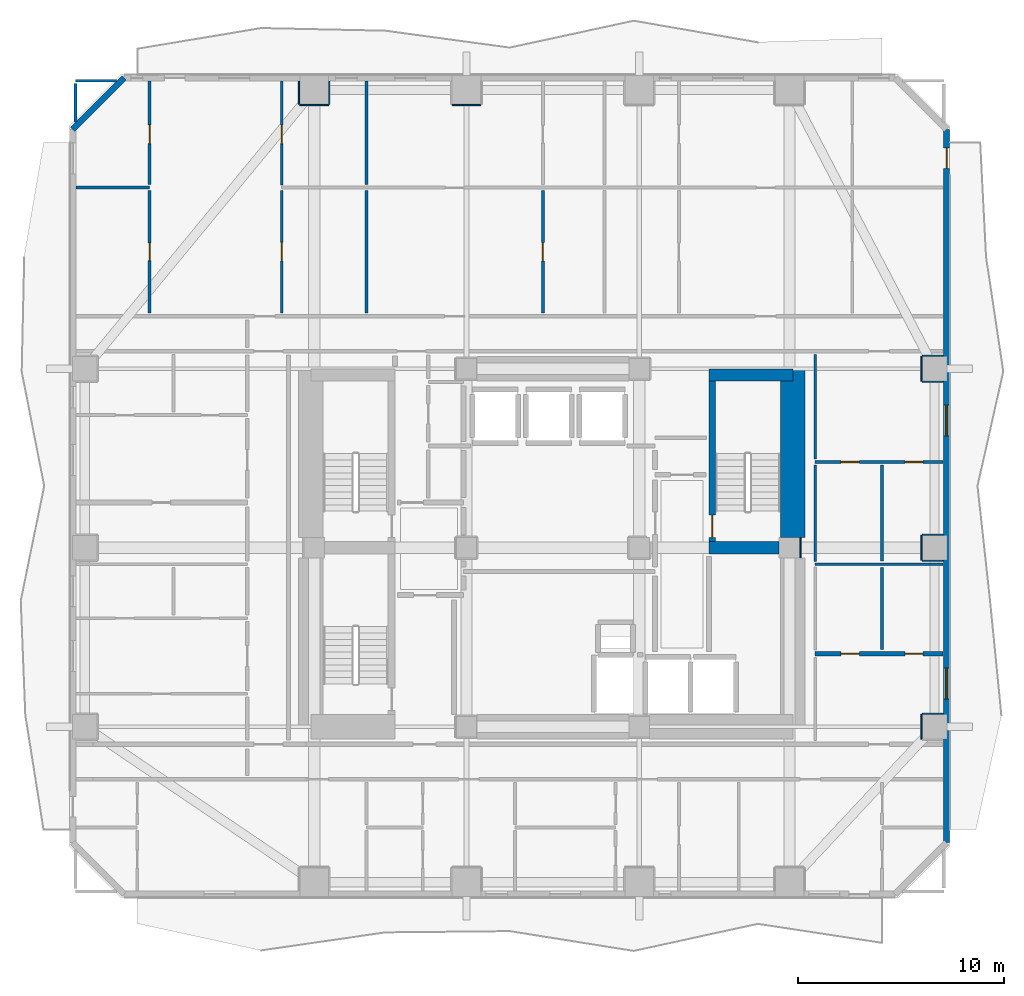
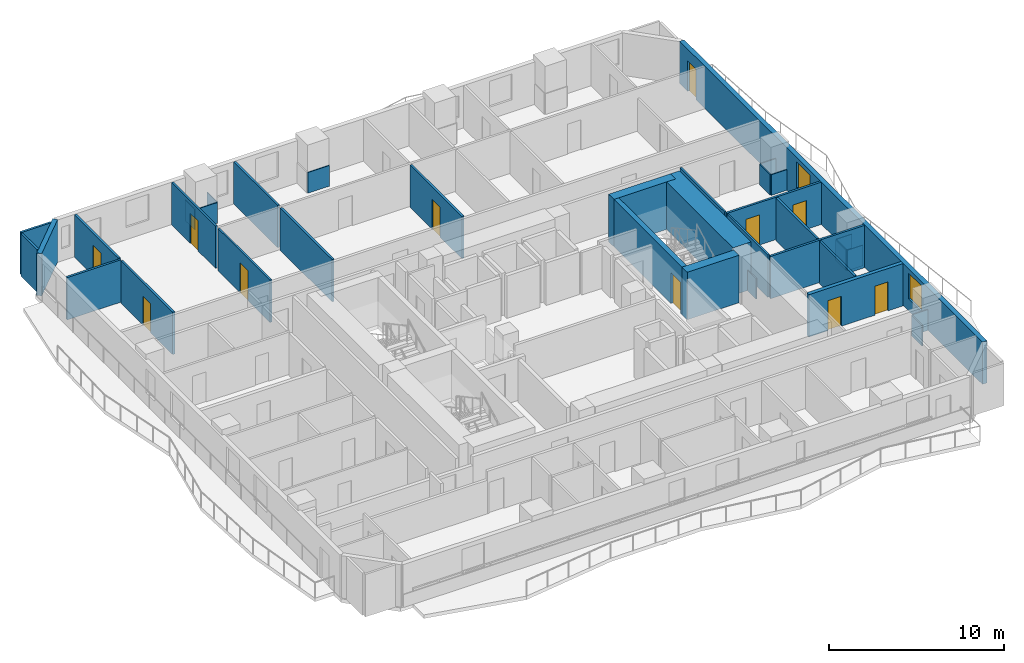
# One storey, part 6 of 12: 36 walls, 11 doors, 2 windows, 13 openings.
"""IFC4 building model written with IfcOpenShell, lengths in metres."""

from ifc_helpers import new_model, si_unit, direction, frame, frame_2d, origin, place, context, subcontext, project, spatial, rectangle, extrude, material, layer, layer_set, type_object, element, fill, save


model = new_model("IFC4")

# Units and contexts
model_context = context("Model", 3, precision=1e-05, world=origin(), true_north=direction((0.0, 1.0)))
body_context = subcontext(model_context, "Body", "Model", "MODEL_VIEW")
ifc_project = project(units=[si_unit("LENGTHUNIT", "METRE"), si_unit("AREAUNIT", "SQUARE_METRE"), si_unit("VOLUMEUNIT", "CUBIC_METRE"), si_unit("PLANEANGLEUNIT", "RADIAN"), si_unit("MASSUNIT", "GRAM", prefix="KILO")], contexts=[model_context])

# Site, building, storey
site_placement = place(None, origin())
site = spatial("IfcSite", under=ifc_project, at=site_placement, CompositionType="ELEMENT")
building_placement = place(site_placement, origin())
building = spatial("IfcBuilding", under=site, at=building_placement, Name="Solanera Arch Residences", CompositionType="ELEMENT")
storey_placement = place(building_placement, frame((0.0, 0.0, 85.080078125)))
storey = spatial("IfcBuildingStorey", under=building, at=storey_placement, Name="L24", CompositionType="ELEMENT", Elevation=85.080078125)

# Walls
ifc_material_1 = material(Name="Fire-Rated Gypsum Stud Partition", Category="gypsum")
ifc_layer_1 = layer(ifc_material_1, 0.06005859375)
ifc_layer_set_1 = layer_set([ifc_layer_1], Name="Fire-Rated Gypsum Stud Partition")
wall_type_1 = type_object("IfcWallType", Name="Column Acoustic Furring Wall 60", PredefinedType="PARTITIONING", material=ifc_layer_set_1)
wall_1_placement = place(storey_placement, frame((37.031982421875, 30.2099609375, 0.0), z_axis=(0.0, 0.0, 1.0), x_axis=(0.0, 1.0, 0.0)))
element("IfcWall", 1, at=wall_1_placement, inside=storey, type_object=wall_type_1, Name="L24 Column Furring 6E", PredefinedType="PARTITIONING", context=body_context, shape_type="SweptSolid", body=[
    extrude(rectangle(XDim=0.97998046875, YDim=0.06005859375, at=frame_2d((0.489990234375, 0.0))), origin(), (0.0, 0.0, 1.0), 1.449951171875),
])
wall_2_placement = place(storey_placement, frame((12.699951171875, 52.218017578125, 0.0), z_axis=(0.0, 0.0, 1.0), x_axis=(1.0, 0.0, 0.0)))
element("IfcWall", 2, at=wall_2_placement, inside=storey, type_object=wall_type_1, Name="L24 Column Furring 10S", PredefinedType="PARTITIONING", context=body_context, shape_type="SweptSolid", body=[
    extrude(rectangle(XDim=1.400146484375, YDim=0.06005859375, at=frame_2d((0.7001953125, 0.0))), origin(), (0.0, 0.0, 1.0), 1.449951171875),
])
for number, where, z_axis, x_axis, name in (
    (3, (12.66796875, 52.25, 0.0), (0.0, 0.0, 1.0), (0.0, 1.0, 0.0), "L24 Column Furring 10W"),
    (4, (14.132080078125, 52.25, 0.0), (0.0, 0.0, 1.0), (0.0, 1.0, 0.0), "L24 Column Furring 10E"),
):
    element("IfcWall", number, at=place(storey_placement, frame(where, z_axis=z_axis, x_axis=x_axis)), inside=storey, type_object=wall_type_1, Name=name, PredefinedType="PARTITIONING", context=body_context, shape_type="SweptSolid", body=[
        extrude(rectangle(XDim=1.1201171875, YDim=0.06005859375, at=frame_2d((0.56005859375, 0.0))), origin(), (0.0, 0.0, 1.0), 1.449951171875),
    ])
wall_3_placement = place(storey_placement, frame((20.10009765625, 52.218017578125, 0.0), z_axis=(0.0, 0.0, 1.0), x_axis=(1.0, 0.0, 0.0)))
element("IfcWall", 5, at=wall_3_placement, inside=storey, type_object=wall_type_1, Name="L24 Column Furring 12S", PredefinedType="PARTITIONING", context=body_context, shape_type="SweptSolid", body=[
    extrude(rectangle(XDim=1.39990234375, YDim=0.06005859375, at=frame_2d((0.699951171875, 0.0))), origin(), (0.0, 0.0, 1.0), 1.449951171875),
])
wall_4_placement = place(storey_placement, frame((42.949951171875, 22.632080078125, 0.0), z_axis=(0.0, 0.0, 1.0), x_axis=(1.0, 0.0, 0.0)))
element("IfcWall", 6, at=wall_4_placement, inside=storey, type_object=wall_type_1, Name="L24 Column Furring 18N", PredefinedType="PARTITIONING", context=body_context, shape_type="SweptSolid", body=[
    extrude(rectangle(XDim=1.02001953125, YDim=0.06005859375, at=frame_2d((0.510009765625, 0.0))), origin(), (0.0, 0.0, 1.0), 1.449951171875),
])
wall_5_placement = place(storey_placement, frame((42.91796875, 21.39990234375, 0.0), z_axis=(0.0, 0.0, 1.0), x_axis=(0.0, 1.0, 0.0)))
element("IfcWall", 7, at=wall_5_placement, inside=storey, type_object=wall_type_1, Name="L24 Column Furring 18W", PredefinedType="PARTITIONING", context=body_context, shape_type="SweptSolid", body=[
    extrude(rectangle(XDim=1.2001953125, YDim=0.06005859375, at=frame_2d((0.60009765625, 0.0))), origin(), (0.0, 0.0, 1.0), 1.449951171875),
])
for number, where, z_axis, x_axis, name in (
    (8, (42.949951171875, 30.068115234375, 0.0), (0.0, 0.0, 1.0), (1.0, 0.0, 0.0), "L24 Column Furring 20S"),
    (9, (42.949951171875, 31.33203125, 0.0), (0.0, 0.0, 1.0), (1.0, 0.0, 0.0), "L24 Column Furring 20N"),
):
    element("IfcWall", number, at=place(storey_placement, frame(where, z_axis=z_axis, x_axis=x_axis)), inside=storey, type_object=wall_type_1, Name=name, PredefinedType="PARTITIONING", context=body_context, shape_type="SweptSolid", body=[
        extrude(rectangle(XDim=1.02001953125, YDim=0.06005859375, at=frame_2d((0.510009765625, 0.0))), origin(), (0.0, 0.0, 1.0), 1.449951171875),
    ])
wall_6_placement = place(storey_placement, frame((42.91796875, 30.10009765625, 0.0), z_axis=(0.0, 0.0, 1.0), x_axis=(0.0, 1.0, 0.0)))
element("IfcWall", 10, at=wall_6_placement, inside=storey, type_object=wall_type_1, Name="L24 Column Furring 20W", PredefinedType="PARTITIONING", context=body_context, shape_type="SweptSolid", body=[
    extrude(rectangle(XDim=1.199951171875, YDim=0.06005859375, at=frame_2d((0.60009765625, 0.0))), origin(), (0.0, 0.0, 1.0), 1.449951171875),
])
for number, where, z_axis, x_axis, name in (
    (11, (42.949951171875, 38.76806640625, 0.0), (0.0, 0.0, 1.0), (1.0, 0.0, 0.0), "L24 Column Furring 22S"),
    (12, (42.949951171875, 40.031982421875, 0.0), (0.0, 0.0, 1.0), (1.0, 0.0, 0.0), "L24 Column Furring 22N"),
):
    element("IfcWall", number, at=place(storey_placement, frame(where, z_axis=z_axis, x_axis=x_axis)), inside=storey, type_object=wall_type_1, Name=name, PredefinedType="PARTITIONING", context=body_context, shape_type="SweptSolid", body=[
        extrude(rectangle(XDim=1.02001953125, YDim=0.06005859375, at=frame_2d((0.510009765625, 0.0))), origin(), (0.0, 0.0, 1.0), 1.449951171875),
    ])
wall_7_placement = place(storey_placement, frame((42.91796875, 38.800048828125, 0.0), z_axis=(0.0, 0.0, 1.0), x_axis=(0.0, 1.0, 0.0)))
element("IfcWall", 13, at=wall_7_placement, inside=storey, type_object=wall_type_1, Name="L24 Column Furring 22W", PredefinedType="PARTITIONING", context=body_context, shape_type="SweptSolid", body=[
    extrude(rectangle(XDim=1.199951171875, YDim=0.06005859375, at=frame_2d((0.60009765625, 0.0))), origin(), (0.0, 0.0, 1.0), 1.449951171875),
])
ifc_material_2 = material(Name="Concrete C55/67 (f'c = 60 MPa)", Category="concrete")
ifc_layer_2 = layer(ifc_material_2, 1.199951171875)
ifc_layer_set_2 = layer_set([ifc_layer_2], Name="Concrete C55/67 (f'c = 60 MPa)")
wall_type_2 = type_object("IfcWallType", Name="Core Shear Wall CW-1200", PredefinedType="SHEAR", material=ifc_layer_set_2)
wall_8_placement = place(storey_placement, frame((36.659912109375, 31.205078125, 0.0), z_axis=(0.0, 0.0, 1.0), x_axis=(0.0, 1.0, 0.0)))
element("IfcWall", 14, at=wall_8_placement, inside=storey, type_object=wall_type_2, Name="L24 East Core North Shear Wall", PredefinedType="SHEAR", context=body_context, shape_type="SweptSolid", body=[
    extrude(rectangle(XDim=8.19482421875, YDim=1.199951171875, at=frame_2d((4.097412109375, 0.0))), origin(), (0.0, 0.0, 1.0), 3.31982421875),
])

# Wall, opening, door
ifc_material_3 = material(Name="Concrete C40/50 (f'c = 45 MPa)", Category="concrete")
ifc_layer_3 = layer(ifc_material_3, 0.320068359375)
ifc_layer_set_3 = layer_set([ifc_layer_3], Name="Concrete C40/50 (f'c = 45 MPa)")
wall_type_3 = type_object("IfcWallType", Name="Core Shear Wall CW-320", PredefinedType="SHEAR", material=ifc_layer_set_3)
wall_9_placement = place(storey_placement, frame((32.739990234375, 31.0, 0.0), z_axis=(0.0, 0.0, 1.0), x_axis=(0.0, 1.0, 0.0)))
wall_9 = element("IfcWall", 15, at=wall_9_placement, inside=storey, type_object=wall_type_3, Name="L24 Stair ST-T2 West Shear Wall", PredefinedType="SHEAR", context=body_context, shape_type="SweptSolid", body=[
    extrude(rectangle(XDim=7.800048828125, YDim=0.320068359375, at=frame_2d((3.89990234375, 0.0))), origin(), (0.0, 0.0, 1.0), 3.31982421875),
])
opening_1_placement = place(wall_9_placement, frame((0.18994140625, 0.0, 0.0)))
opening_1 = element("IfcOpeningElement", 16, at=opening_1_placement, cuts=wall_9, Name="Opening DF-01", PredefinedType="OPENING", context=body_context, shape_type="SweptSolid", body=[
    extrude(rectangle(XDim=1.10009765625, YDim=2.14990234375, at=frame_2d((0.550048828125, 1.074951171875))), frame((0.0, 0.169921875, 0.0), z_axis=(0.0, -1.0, 0.0), x_axis=(1.0, 0.0, 0.0)), (0.0, 0.0, 1.0), 0.3401),
])
ifc_material_4 = material(Name="Fire-Rated Architectural Hardwood", Category="wood")
door_type_1 = type_object("IfcDoorType", Name="Stair Exit Fire Door DF-01", OperationType="NOTDEFINED", PredefinedType="DOOR", material=ifc_material_4)
door_1_placement = place(opening_1_placement, origin())
door_1 = element("IfcDoor", 17, at=door_1_placement, inside=storey, type_object=door_type_1, Name="DR-L24-STAIR-ST-T2", OperationType="SINGLE_SWING_RIGHT", OverallHeight=2.14990234375, OverallWidth=1.10009765625, PredefinedType="DOOR", context=body_context, shape_type="SweptSolid", body=[
    extrude(rectangle(XDim=1.10009765625, YDim=2.14990234375, at=frame_2d((0.550048828125, 1.074951171875))), frame((0.0, 0.02490234375, 0.0), z_axis=(0.0, -1.0, 0.0), x_axis=(1.0, 0.0, 0.0)), (0.0, 0.0, 1.0), 0.050048828125),
])
fill(opening_1, door_1)

# Walls
ifc_material_5 = material(Name="Concrete C40/50 (f'c = 45 MPa)", Category="concrete")
ifc_layer_4 = layer(ifc_material_5, 0.60009765625)
ifc_layer_set_4 = layer_set([ifc_layer_4], Name="Concrete C40/50 (f'c = 45 MPa)")
wall_type_4 = type_object("IfcWallType", Name="Core Shear Wall CW-600", PredefinedType="SHEAR", material=ifc_layer_set_4)
wall_10_placement = place(storey_placement, frame((32.580078125, 39.10009765625, 0.0), z_axis=(0.0, 0.0, 1.0), x_axis=(1.0, 0.0, 0.0)))
element("IfcWall", 18, at=wall_10_placement, inside=storey, type_object=wall_type_4, Name="L24 North-East Core Shear Wall", PredefinedType="SHEAR", context=body_context, shape_type="SweptSolid", body=[
    extrude(rectangle(XDim=4.079833984375, YDim=0.60009765625, at=frame_2d((2.0400390625, 0.0))), origin(), (0.0, 0.0, 1.0), 3.31982421875),
])
wall_11_placement = place(storey_placement, frame((32.580078125, 30.699951171875, 0.0), z_axis=(0.0, 0.0, 1.0), x_axis=(1.0, 0.0, 0.0)))
element("IfcWall", 19, at=wall_11_placement, inside=storey, type_object=wall_type_4, Name="L24 East Stair Far-Landing Shear Wall", PredefinedType="SHEAR", context=body_context, shape_type="SweptSolid", body=[
    extrude(rectangle(XDim=3.4150390625, YDim=0.60009765625, at=frame_2d((1.70751953125, 0.0))), origin(), (0.0, 0.0, 1.0), 3.31982421875),
])
ifc_material_6 = material(Name="Precast Concrete C35/45", Category="concrete")
ifc_layer_5 = layer(ifc_material_6, 0.300048828125)
ifc_layer_set_5 = layer_set([ifc_layer_5], Name="Precast Concrete C35/45")
wall_type_5 = type_object("IfcWallType", Name="Exterior Wall Precast Masonry-Frame 300", PredefinedType="STANDARD", material=ifc_layer_set_5)
wall_12_placement = place(storey_placement, frame((1.6650390625, 51.034912109375, 0.0), z_axis=(0.0, 0.0, 1.0), x_axis=(0.707106781187, 0.707106781187, 0.0)))
element("IfcWall", 20, at=wall_12_placement, inside=storey, type_object=wall_type_5, Name="L24 Tower Exterior Precast Masonry-Frame Wall CH1", PredefinedType="STANDARD", context=body_context, shape_type="SweptSolid", body=[
    extrude(rectangle(XDim=3.53564453125, YDim=0.300048828125, at=frame_2d((1.767822265625, 0.0))), origin(), (0.0, 0.0, 1.0), 2.9599609375),
])

# Wall, openings, door, windows
wall_13_placement = place(storey_placement, frame((44.135009765625, 51.034912109375, 0.0), z_axis=(0.0, 0.0, 1.0), x_axis=(0.0, -1.0, 0.0)))
wall_13 = element("IfcWall", 21, at=wall_13_placement, inside=storey, type_object=wall_type_5, Name="L24 Tower Exterior Precast Masonry-Frame Wall E", PredefinedType="STANDARD", context=body_context, shape_type="SweptSolid", body=[
    extrude(rectangle(XDim=34.669921875, YDim=0.300048828125, at=frame_2d((17.3349609375, 0.0))), origin(), (0.0, 0.0, 1.0), 2.9599609375),
])
opening_2_placement = place(wall_13_placement, frame((0.90087890625, 0.0, 0.0)))
opening_2 = element("IfcOpeningElement", 22, at=opening_2_placement, cuts=wall_13, Name="Opening DB-01", PredefinedType="OPENING", context=body_context, shape_type="SweptSolid", body=[
    extrude(rectangle(XDim=1.0, YDim=2.14990234375, at=frame_2d((0.5, 1.074951171875))), frame((0.0, 0.159912109375, 0.0), z_axis=(0.0, -1.0, 0.0), x_axis=(1.0, 0.0, 0.0)), (0.0, 0.0, 1.0), 0.32),
])
opening_3_placement = place(wall_13_placement, frame((26.18505859375, 0.0, 0.85009765625)))
opening_3 = element("IfcOpeningElement", 23, at=opening_3_placement, cuts=wall_13, Name="Opening W-02", PredefinedType="OPENING", context=body_context, shape_type="SweptSolid", body=[
    extrude(rectangle(XDim=1.5, YDim=1.800048828125, at=frame_2d((0.75, 0.89990234375))), frame((0.0, 0.159912109375, 0.0), z_axis=(0.0, -1.0, 0.0), x_axis=(1.0, 0.0, 0.0)), (0.0, 0.0, 1.0), 0.32),
])
opening_4_placement = place(wall_13_placement, frame((13.40087890625, 0.0, 0.85009765625)))
opening_4 = element("IfcOpeningElement", 24, at=opening_4_placement, cuts=wall_13, Name="Opening W-02", PredefinedType="OPENING", context=body_context, shape_type="SweptSolid", body=[
    extrude(rectangle(XDim=1.5, YDim=1.800048828125, at=frame_2d((0.75, 0.89990234375))), frame((0.0, 0.159912109375, 0.0), z_axis=(0.0, -1.0, 0.0), x_axis=(1.0, 0.0, 0.0)), (0.0, 0.0, 1.0), 0.32),
])
ifc_material_7 = material(Name="Anodised Aluminium Alloy 6063-T6", Category="aluminium")
door_type_2 = type_object("IfcDoorType", Name="Glazed Balcony Swing Door DB-01", OperationType="NOTDEFINED", PredefinedType="DOOR", material=ifc_material_7)
door_2_placement = place(opening_2_placement, origin())
door_2 = element("IfcDoor", 25, at=door_2_placement, inside=storey, type_object=door_type_2, Name="DR-L24-OUT-03", OperationType="SINGLE_SWING_RIGHT", OverallHeight=2.14990234375, OverallWidth=1.0, PredefinedType="DOOR", context=body_context, shape_type="SweptSolid", body=[
    extrude(rectangle(XDim=1.0, YDim=2.14990234375, at=frame_2d((0.5, 1.074951171875))), frame((0.0, 0.02490234375, 0.0), z_axis=(0.0, -1.0, 0.0), x_axis=(1.0, 0.0, 0.0)), (0.0, 0.0, 1.0), 0.050048828125),
])
fill(opening_2, door_2)
ifc_material_8 = material(Name="Double Glazed Low-E Laminated Glass", Category="glass")
window_type = type_object("IfcWindowType", Name="Punched Window W-02", PartitioningType="DOUBLE_PANEL_VERTICAL", PredefinedType="WINDOW", material=ifc_material_8)
window_1_placement = place(opening_3_placement, origin())
window_1 = element("IfcWindow", 26, at=window_1_placement, inside=storey, type_object=window_type, Name="L24 2410-LIV Punched Window", OverallHeight=1.800048828125, OverallWidth=1.5, PartitioningType="SINGLE_PANEL", PredefinedType="WINDOW", context=body_context, shape_type="SweptSolid", body=[
    extrude(rectangle(XDim=1.5, YDim=1.800048828125, at=frame_2d((0.75, 0.89990234375))), frame((0.0, 0.030029296875, 0.0), z_axis=(0.0, -1.0, 0.0), x_axis=(1.0, 0.0, 0.0)), (0.0, 0.0, 1.0), 0.06005859375),
])
fill(opening_3, window_1)
window_2_placement = place(opening_4_placement, origin())
window_2 = element("IfcWindow", 27, at=window_2_placement, inside=storey, type_object=window_type, Name="L24 2411-LIV Punched Window", OverallHeight=1.800048828125, OverallWidth=1.5, PartitioningType="SINGLE_PANEL", PredefinedType="WINDOW", context=body_context, shape_type="SweptSolid", body=[
    extrude(rectangle(XDim=1.5, YDim=1.800048828125, at=frame_2d((0.75, 0.89990234375))), frame((0.0, 0.030029296875, 0.0), z_axis=(0.0, -1.0, 0.0), x_axis=(1.0, 0.0, 0.0)), (0.0, 0.0, 1.0), 0.06005859375),
])
fill(opening_4, window_2)

# Wall, openings, doors
ifc_material_9 = material(Name="Autoclaved Aerated Concrete Blockwork", Category="masonry")
ifc_layer_6 = layer(ifc_material_9, 0.239990234375)
ifc_layer_set_6 = layer_set([ifc_layer_6], Name="Autoclaved Aerated Concrete Blockwork")
wall_type_6 = type_object("IfcWallType", Name="Shaft Wall Fire-Rated 240", PredefinedType="PARTITIONING", material=ifc_layer_set_6)
wall_14_placement = place(storey_placement, frame((37.75, 25.550048828125, 0.0), z_axis=(0.0, 0.0, 1.0), x_axis=(1.0, 0.0, 0.0)))
wall_14 = element("IfcWall", 28, at=wall_14_placement, inside=storey, type_object=wall_type_6, Name="L24 Interior Partition H3", PredefinedType="PARTITIONING", context=body_context, shape_type="SweptSolid", body=[
    extrude(rectangle(XDim=6.222900390625, YDim=0.239990234375, at=frame_2d((3.111328125, 0.0))), origin(), (0.0, 0.0, 1.0), 2.9599609375),
])
opening_5_placement = place(wall_14_placement, frame((1.25, 0.0, 0.0)))
opening_5 = element("IfcOpeningElement", 29, at=opening_5_placement, cuts=wall_14, Name="Opening DI-02", PredefinedType="OPENING", context=body_context, shape_type="SweptSolid", body=[
    extrude(rectangle(XDim=0.89990234375, YDim=2.10009765625, at=frame_2d((0.449951171875, 1.050048828125))), frame((0.0, 0.1298828125, 0.0), z_axis=(0.0, -1.0, 0.0), x_axis=(1.0, 0.0, 0.0)), (0.0, 0.0, 1.0), 0.26),
])
opening_6_placement = place(wall_14_placement, frame((4.3701171875, 0.0, 0.0)))
opening_6 = element("IfcOpeningElement", 30, at=opening_6_placement, cuts=wall_14, Name="Opening DI-05", PredefinedType="OPENING", context=body_context, shape_type="SweptSolid", body=[
    extrude(rectangle(XDim=0.860107421875, YDim=2.02001953125, at=frame_2d((0.43017578125, 1.010009765625))), frame((0.0, 0.1298828125, 0.0), z_axis=(0.0, -1.0, 0.0), x_axis=(1.0, 0.0, 0.0)), (0.0, 0.0, 1.0), 0.26),
])
ifc_material_10 = material(Name="Fire-Rated Architectural Hardwood", Category="wood")
door_type_3 = type_object("IfcDoorType", Name="Bathroom Swing Door DI-05", OperationType="NOTDEFINED", PredefinedType="DOOR", material=ifc_material_10)
door_3_placement = place(opening_6_placement, origin())
door_3 = element("IfcDoor", 31, at=door_3_placement, inside=storey, type_object=door_type_3, Name="DR-L24-IN-051", OperationType="SINGLE_SWING_LEFT", OverallHeight=2.02001953125, OverallWidth=0.860107421875, PredefinedType="DOOR", context=body_context, shape_type="SweptSolid", body=[
    extrude(rectangle(XDim=0.860107421875, YDim=2.02001953125, at=frame_2d((0.43017578125, 1.010009765625))), frame((0.0, 0.02490234375, 0.0), z_axis=(0.0, -1.0, 0.0), x_axis=(1.0, 0.0, 0.0)), (0.0, 0.0, 1.0), 0.050048828125),
])
fill(opening_6, door_3)
ifc_material_11 = material(Name="Fire-Rated Architectural Hardwood", Category="wood")
door_type_4 = type_object("IfcDoorType", Name="Suite Room Swing Door DI-02", OperationType="NOTDEFINED", PredefinedType="DOOR", material=ifc_material_11)
door_4_placement = place(opening_5_placement, origin())
door_4 = element("IfcDoor", 32, at=door_4_placement, inside=storey, type_object=door_type_4, Name="DR-L24-IN-050", OperationType="SINGLE_SWING_RIGHT", OverallHeight=2.10009765625, OverallWidth=0.89990234375, PredefinedType="DOOR", context=body_context, shape_type="SweptSolid", body=[
    extrude(rectangle(XDim=0.89990234375, YDim=2.10009765625, at=frame_2d((0.449951171875, 1.050048828125))), frame((0.0, 0.02490234375, 0.0), z_axis=(0.0, -1.0, 0.0), x_axis=(1.0, 0.0, 0.0)), (0.0, 0.0, 1.0), 0.050048828125),
])
fill(opening_5, door_4)

# Wall, opening, door
ifc_material_12 = material(Name="Fire-Rated Gypsum Stud Partition", Category="gypsum")
ifc_layer_7 = layer(ifc_material_12, 0.1201171875)
ifc_layer_set_7 = layer_set([ifc_layer_7], Name="Fire-Rated Gypsum Stud Partition")
wall_type_7 = type_object("IfcWallType", Name="Unit Drywall Partition 120", PredefinedType="PARTITIONING", material=ifc_layer_set_7)
wall_15_placement = place(storey_placement, frame((11.820068359375, 42.10791015625, 0.0), z_axis=(0.0, 0.0, 1.0), x_axis=(0.0, 1.0, 0.0)))
wall_15 = element("IfcWall", 33, at=wall_15_placement, inside=storey, type_object=wall_type_7, Name="L24 Interior Partition V28 1", PredefinedType="PARTITIONING", context=body_context, shape_type="SweptSolid", body=[
    extrude(rectangle(XDim=5.9541015625, YDim=0.1201171875, at=frame_2d((2.97705078125, 0.0))), origin(), (0.0, 0.0, 1.0), 2.9599609375),
])
opening_7_placement = place(wall_15_placement, frame((2.530029296875, 0.0, 0.0)))
opening_7 = element("IfcOpeningElement", 34, at=opening_7_placement, cuts=wall_15, Name="Opening DI-02", PredefinedType="OPENING", context=body_context, shape_type="SweptSolid", body=[
    extrude(rectangle(XDim=0.89990234375, YDim=2.10009765625, at=frame_2d((0.449951171875, 1.050048828125))), frame((0.0, 0.070068359375, 0.0), z_axis=(0.0, -1.0, 0.0), x_axis=(1.0, 0.0, 0.0)), (0.0, 0.0, 1.0), 0.1401),
])
door_5_placement = place(opening_7_placement, origin())
door_5 = element("IfcDoor", 35, at=door_5_placement, inside=storey, type_object=door_type_4, Name="DR-L24-IN-029", OperationType="SINGLE_SWING_LEFT", OverallHeight=2.10009765625, OverallWidth=0.89990234375, PredefinedType="DOOR", context=body_context, shape_type="SweptSolid", body=[
    extrude(rectangle(XDim=0.89990234375, YDim=2.10009765625, at=frame_2d((0.449951171875, 1.050048828125))), frame((0.0, 0.02490234375, 0.0), z_axis=(0.0, -1.0, 0.0), x_axis=(1.0, 0.0, 0.0)), (0.0, 0.0, 1.0), 0.050048828125),
])
fill(opening_7, door_5)

wall_16_placement = place(storey_placement, frame((11.820068359375, 48.337890625, 0.0), z_axis=(0.0, 0.0, 1.0), x_axis=(0.0, 1.0, 0.0)))
wall_16 = element("IfcWall", 36, at=wall_16_placement, inside=storey, type_object=wall_type_7, Name="L24 Interior Partition V28 2", PredefinedType="PARTITIONING", context=body_context, shape_type="SweptSolid", body=[
    extrude(rectangle(XDim=5.03515625, YDim=0.1201171875, at=frame_2d((2.517578125, 0.0))), origin(), (0.0, 0.0, 1.0), 2.9599609375),
])
opening_8_placement = place(wall_16_placement, frame((1.9990234375, 0.0, 0.0)))
opening_8 = element("IfcOpeningElement", 37, at=opening_8_placement, cuts=wall_16, Name="Opening DI-02", PredefinedType="OPENING", context=body_context, shape_type="SweptSolid", body=[
    extrude(rectangle(XDim=0.89990234375, YDim=2.10009765625, at=frame_2d((0.449951171875, 1.050048828125))), frame((0.0, 0.070068359375, 0.0), z_axis=(0.0, -1.0, 0.0), x_axis=(1.0, 0.0, 0.0)), (0.0, 0.0, 1.0), 0.1401),
])
door_6_placement = place(opening_8_placement, origin())
door_6 = element("IfcDoor", 38, at=door_6_placement, inside=storey, type_object=door_type_4, Name="DR-L24-IN-030", OperationType="SINGLE_SWING_RIGHT", OverallHeight=2.10009765625, OverallWidth=0.89990234375, PredefinedType="DOOR", context=body_context, shape_type="SweptSolid", body=[
    extrude(rectangle(XDim=0.89990234375, YDim=2.10009765625, at=frame_2d((0.449951171875, 1.050048828125))), frame((0.0, 0.02490234375, 0.0), z_axis=(0.0, -1.0, 0.0), x_axis=(1.0, 0.0, 0.0)), (0.0, 0.0, 1.0), 0.050048828125),
])
fill(opening_8, door_6)

# Walls
wall_17_placement = place(storey_placement, frame((37.75, 30.0380859375, 0.0), z_axis=(0.0, 0.0, 1.0), x_axis=(0.0, 1.0, 0.0)))
element("IfcWall", 39, at=wall_17_placement, inside=storey, type_object=wall_type_7, Name="L24 Interior Partition V30 3", PredefinedType="PARTITIONING", context=body_context, shape_type="SweptSolid", body=[
    extrude(rectangle(XDim=4.69189453125, YDim=0.1201171875, at=frame_2d((2.345947265625, 0.0))), origin(), (0.0, 0.0, 1.0), 2.9599609375),
])
wall_18_placement = place(storey_placement, frame((37.75, 35.006103515625, 0.0), z_axis=(0.0, 0.0, 1.0), x_axis=(0.0, 1.0, 0.0)))
element("IfcWall", 40, at=wall_18_placement, inside=storey, type_object=wall_type_7, Name="L24 Interior Partition V30 4", PredefinedType="PARTITIONING", context=body_context, shape_type="SweptSolid", body=[
    extrude(rectangle(XDim=5.0859375, YDim=0.1201171875, at=frame_2d((2.54296875, 0.0))), origin(), (0.0, 0.0, 1.0), 2.9599609375),
])
ifc_material_13 = material(Name="Autoclaved Aerated Concrete Blockwork", Category="masonry")
ifc_layer_8 = layer(ifc_material_13, 0.139892578125)
ifc_layer_set_8 = layer_set([ifc_layer_8], Name="Autoclaved Aerated Concrete Blockwork")
wall_type_8 = type_object("IfcWallType", Name="Wet-Room Partition 140", PredefinedType="PARTITIONING", material=ifc_layer_set_8)
wall_19_placement = place(storey_placement, frame((37.75, 29.89990234375, 0.0), z_axis=(0.0, 0.0, 1.0), x_axis=(1.0, 0.0, 0.0)))
element("IfcWall", 41, at=wall_19_placement, inside=storey, type_object=wall_type_8, Name="L24 Interior Partition H21", PredefinedType="PARTITIONING", context=body_context, shape_type="SweptSolid", body=[
    extrude(rectangle(XDim=6.222900390625, YDim=0.139892578125, at=frame_2d((3.111328125, 0.0))), origin(), (0.0, 0.0, 1.0), 2.9599609375),
])

# Wall, openings, doors
wall_20_placement = place(storey_placement, frame((37.75, 34.867919921875, 0.0), z_axis=(0.0, 0.0, 1.0), x_axis=(1.0, 0.0, 0.0)))
wall_20 = element("IfcWall", 42, at=wall_20_placement, inside=storey, type_object=wall_type_8, Name="L24 Interior Partition H22", PredefinedType="PARTITIONING", context=body_context, shape_type="SweptSolid", body=[
    extrude(rectangle(XDim=6.222900390625, YDim=0.139892578125, at=frame_2d((3.111328125, 0.0))), origin(), (0.0, 0.0, 1.0), 2.9599609375),
])
opening_9_placement = place(wall_20_placement, frame((1.25, 0.0, 0.0)))
opening_9 = element("IfcOpeningElement", 43, at=opening_9_placement, cuts=wall_20, Name="Opening DI-02", PredefinedType="OPENING", context=body_context, shape_type="SweptSolid", body=[
    extrude(rectangle(XDim=0.89990234375, YDim=2.10009765625, at=frame_2d((0.449951171875, 1.050048828125))), frame((0.0, 0.079833984375, 0.0), z_axis=(0.0, -1.0, 0.0), x_axis=(1.0, 0.0, 0.0)), (0.0, 0.0, 1.0), 0.1599),
])
opening_10_placement = place(wall_20_placement, frame((4.3701171875, 0.0, 0.0)))
opening_10 = element("IfcOpeningElement", 44, at=opening_10_placement, cuts=wall_20, Name="Opening DI-05", PredefinedType="OPENING", context=body_context, shape_type="SweptSolid", body=[
    extrude(rectangle(XDim=0.860107421875, YDim=2.02001953125, at=frame_2d((0.43017578125, 1.010009765625))), frame((0.0, 0.079833984375, 0.0), z_axis=(0.0, -1.0, 0.0), x_axis=(1.0, 0.0, 0.0)), (0.0, 0.0, 1.0), 0.1599),
])
door_7_placement = place(opening_10_placement, origin())
door_7 = element("IfcDoor", 45, at=door_7_placement, inside=storey, type_object=door_type_3, Name="DR-L24-IN-054", OperationType="SINGLE_SWING_RIGHT", OverallHeight=2.02001953125, OverallWidth=0.860107421875, PredefinedType="DOOR", context=body_context, shape_type="SweptSolid", body=[
    extrude(rectangle(XDim=0.860107421875, YDim=2.02001953125, at=frame_2d((0.43017578125, 1.010009765625))), frame((0.0, 0.02490234375, 0.0), z_axis=(0.0, -1.0, 0.0), x_axis=(1.0, 0.0, 0.0)), (0.0, 0.0, 1.0), 0.050048828125),
])
fill(opening_10, door_7)
door_8_placement = place(opening_9_placement, origin())
door_8 = element("IfcDoor", 46, at=door_8_placement, inside=storey, type_object=door_type_4, Name="DR-L24-IN-053", OperationType="SINGLE_SWING_LEFT", OverallHeight=2.10009765625, OverallWidth=0.89990234375, PredefinedType="DOOR", context=body_context, shape_type="SweptSolid", body=[
    extrude(rectangle(XDim=0.89990234375, YDim=2.10009765625, at=frame_2d((0.449951171875, 1.050048828125))), frame((0.0, 0.02490234375, 0.0), z_axis=(0.0, -1.0, 0.0), x_axis=(1.0, 0.0, 0.0)), (0.0, 0.0, 1.0), 0.050048828125),
])
fill(opening_9, door_8)

# Walls
wall_21_placement = place(storey_placement, frame((1.826904296875, 48.199951171875, 0.0), z_axis=(0.0, 0.0, 1.0), x_axis=(1.0, 0.0, 0.0)))
element("IfcWall", 47, at=wall_21_placement, inside=storey, type_object=wall_type_8, Name="L24 Interior Partition H25", PredefinedType="PARTITIONING", context=body_context, shape_type="SweptSolid", body=[
    extrude(rectangle(XDim=3.5771484375, YDim=0.139892578125, at=frame_2d((1.78857421875, 0.0))), origin(), (0.0, 0.0, 1.0), 2.9599609375),
])
wall_22_placement = place(storey_placement, frame((1.800048828125, 53.39990234375, 0.0), z_axis=(0.0, 0.0, 1.0), x_axis=(1.0, 0.0, 0.0)))
element("IfcWall", 48, at=wall_22_placement, inside=storey, type_object=wall_type_8, Name="L24 Interior Partition H27 1", PredefinedType="PARTITIONING", context=body_context, shape_type="SweptSolid", body=[
    extrude(rectangle(XDim=2.0009765625, YDim=0.139892578125, at=frame_2d((1.00048828125, 0.0))), origin(), (0.0, 0.0, 1.0), 2.9599609375),
])
wall_23_placement = place(storey_placement, frame((1.800048828125, 51.39892578125, 0.0), z_axis=(0.0, 0.0, 1.0), x_axis=(0.0, 1.0, 0.0)))
element("IfcWall", 49, at=wall_23_placement, inside=storey, type_object=wall_type_8, Name="L24 Interior Partition V12", PredefinedType="PARTITIONING", context=body_context, shape_type="SweptSolid", body=[
    extrude(rectangle(XDim=1.85302734375, YDim=0.139892578125, at=frame_2d((0.926513671875, 0.0))), origin(), (0.0, 0.0, 1.0), 2.9599609375),
])

# Wall, opening, door
wall_24_placement = place(storey_placement, frame((5.404052734375, 42.117919921875, 0.0), z_axis=(0.0, 0.0, 1.0), x_axis=(0.0, 1.0, 0.0)))
wall_24 = element("IfcWall", 50, at=wall_24_placement, inside=storey, type_object=wall_type_8, Name="L24 Interior Partition V14 1", PredefinedType="PARTITIONING", context=body_context, shape_type="SweptSolid", body=[
    extrude(rectangle(XDim=5.93408203125, YDim=0.139892578125, at=frame_2d((2.967041015625, 0.0))), origin(), (0.0, 0.0, 1.0), 2.9599609375),
])
opening_11_placement = place(wall_24_placement, frame((2.5400390625, 0.0, 0.0)))
opening_11 = element("IfcOpeningElement", 51, at=opening_11_placement, cuts=wall_24, Name="Opening DI-05", PredefinedType="OPENING", context=body_context, shape_type="SweptSolid", body=[
    extrude(rectangle(XDim=0.860107421875, YDim=2.02001953125, at=frame_2d((0.43017578125, 1.010009765625))), frame((0.0, 0.079833984375, 0.0), z_axis=(0.0, -1.0, 0.0), x_axis=(1.0, 0.0, 0.0)), (0.0, 0.0, 1.0), 0.1599),
])
door_9_placement = place(opening_11_placement, origin())
door_9 = element("IfcDoor", 52, at=door_9_placement, inside=storey, type_object=door_type_3, Name="DR-L24-IN-027", OperationType="SINGLE_SWING_LEFT", OverallHeight=2.02001953125, OverallWidth=0.860107421875, PredefinedType="DOOR", context=body_context, shape_type="SweptSolid", body=[
    extrude(rectangle(XDim=0.860107421875, YDim=2.02001953125, at=frame_2d((0.43017578125, 1.010009765625))), frame((0.0, 0.02490234375, 0.0), z_axis=(0.0, -1.0, 0.0), x_axis=(1.0, 0.0, 0.0)), (0.0, 0.0, 1.0), 0.050048828125),
])
fill(opening_11, door_9)

wall_25_placement = place(storey_placement, frame((5.404052734375, 48.347900390625, 0.0), z_axis=(0.0, 0.0, 1.0), x_axis=(0.0, 1.0, 0.0)))
wall_25 = element("IfcWall", 53, at=wall_25_placement, inside=storey, type_object=wall_type_8, Name="L24 Interior Partition V14 2", PredefinedType="PARTITIONING", context=body_context, shape_type="SweptSolid", body=[
    extrude(rectangle(XDim=5.025146484375, YDim=0.139892578125, at=frame_2d((2.5126953125, 0.0))), origin(), (0.0, 0.0, 1.0), 2.9599609375),
])
opening_12_placement = place(wall_25_placement, frame((1.989013671875, 0.0, 0.0)))
opening_12 = element("IfcOpeningElement", 54, at=opening_12_placement, cuts=wall_25, Name="Opening DI-03", PredefinedType="OPENING", context=body_context, shape_type="SweptSolid", body=[
    extrude(rectangle(XDim=0.89990234375, YDim=2.10009765625, at=frame_2d((0.449951171875, 1.050048828125))), frame((0.0, 0.079833984375, 0.0), z_axis=(0.0, -1.0, 0.0), x_axis=(1.0, 0.0, 0.0)), (0.0, 0.0, 1.0), 0.1599),
])
ifc_material_14 = material(Name="Fire-Rated Architectural Hardwood", Category="wood")
door_type_5 = type_object("IfcDoorType", Name="Bedroom Swing Door DI-03", OperationType="NOTDEFINED", PredefinedType="DOOR", material=ifc_material_14)
door_10_placement = place(opening_12_placement, origin())
door_10 = element("IfcDoor", 55, at=door_10_placement, inside=storey, type_object=door_type_5, Name="DR-L24-IN-028", OperationType="SINGLE_SWING_RIGHT", OverallHeight=2.10009765625, OverallWidth=0.89990234375, PredefinedType="DOOR", context=body_context, shape_type="SweptSolid", body=[
    extrude(rectangle(XDim=0.89990234375, YDim=2.10009765625, at=frame_2d((0.449951171875, 1.050048828125))), frame((0.0, 0.02490234375, 0.0), z_axis=(0.0, -1.0, 0.0), x_axis=(1.0, 0.0, 0.0)), (0.0, 0.0, 1.0), 0.050048828125),
])
fill(opening_12, door_10)

# Walls
wall_26_placement = place(storey_placement, frame((15.93603515625, 42.117919921875, 0.0), z_axis=(0.0, 0.0, 1.0), x_axis=(0.0, 1.0, 0.0)))
element("IfcWall", 56, at=wall_26_placement, inside=storey, type_object=wall_type_8, Name="L24 Interior Partition V18 1", PredefinedType="PARTITIONING", context=body_context, shape_type="SweptSolid", body=[
    extrude(rectangle(XDim=5.93408203125, YDim=0.139892578125, at=frame_2d((2.967041015625, 0.0))), origin(), (0.0, 0.0, 1.0), 2.9599609375),
])
wall_27_placement = place(storey_placement, frame((15.93603515625, 48.347900390625, 0.0), z_axis=(0.0, 0.0, 1.0), x_axis=(0.0, 1.0, 0.0)))
element("IfcWall", 57, at=wall_27_placement, inside=storey, type_object=wall_type_8, Name="L24 Interior Partition V18 2", PredefinedType="PARTITIONING", context=body_context, shape_type="SweptSolid", body=[
    extrude(rectangle(XDim=5.025146484375, YDim=0.139892578125, at=frame_2d((2.5126953125, 0.0))), origin(), (0.0, 0.0, 1.0), 2.9599609375),
])

# Wall, opening, door
wall_28_placement = place(storey_placement, frame((24.52001953125, 42.117919921875, 0.0), z_axis=(0.0, 0.0, 1.0), x_axis=(0.0, 1.0, 0.0)))
wall_28 = element("IfcWall", 58, at=wall_28_placement, inside=storey, type_object=wall_type_8, Name="L24 Interior Partition V21 1", PredefinedType="PARTITIONING", context=body_context, shape_type="SweptSolid", body=[
    extrude(rectangle(XDim=5.93408203125, YDim=0.139892578125, at=frame_2d((2.967041015625, 0.0))), origin(), (0.0, 0.0, 1.0), 2.9599609375),
])
opening_13_placement = place(wall_28_placement, frame((2.507080078125, 0.0, 0.0)))
opening_13 = element("IfcOpeningElement", 59, at=opening_13_placement, cuts=wall_28, Name="Opening DI-02", PredefinedType="OPENING", context=body_context, shape_type="SweptSolid", body=[
    extrude(rectangle(XDim=0.89990234375, YDim=2.10009765625, at=frame_2d((0.449951171875, 1.050048828125))), frame((0.0, 0.079833984375, 0.0), z_axis=(0.0, -1.0, 0.0), x_axis=(1.0, 0.0, 0.0)), (0.0, 0.0, 1.0), 0.1599),
])
door_11_placement = place(opening_13_placement, origin())
door_11 = element("IfcDoor", 60, at=door_11_placement, inside=storey, type_object=door_type_4, Name="DR-L24-IN-033", OperationType="SINGLE_SWING_LEFT", OverallHeight=2.10009765625, OverallWidth=0.89990234375, PredefinedType="DOOR", context=body_context, shape_type="SweptSolid", body=[
    extrude(rectangle(XDim=0.89990234375, YDim=2.10009765625, at=frame_2d((0.449951171875, 1.050048828125))), frame((0.0, 0.02490234375, 0.0), z_axis=(0.0, -1.0, 0.0), x_axis=(1.0, 0.0, 0.0)), (0.0, 0.0, 1.0), 0.050048828125),
])
fill(opening_13, door_11)

# Walls
wall_29_placement = place(storey_placement, frame((41.0, 25.748046875, 0.0), z_axis=(0.0, 0.0, 1.0), x_axis=(0.0, 1.0, 0.0)))
element("IfcWall", 61, at=wall_29_placement, inside=storey, type_object=wall_type_8, Name="L24 Interior Partition V27 1", PredefinedType="PARTITIONING", context=body_context, shape_type="SweptSolid", body=[
    extrude(rectangle(XDim=4.00390625, YDim=0.139892578125, at=frame_2d((2.001953125, 0.0))), origin(), (0.0, 0.0, 1.0), 2.9599609375),
])
wall_30_placement = place(storey_placement, frame((41.0, 30.048095703125, 0.0), z_axis=(0.0, 0.0, 1.0), x_axis=(0.0, 1.0, 0.0)))
element("IfcWall", 62, at=wall_30_placement, inside=storey, type_object=wall_type_8, Name="L24 Interior Partition V27 2", PredefinedType="PARTITIONING", context=body_context, shape_type="SweptSolid", body=[
    extrude(rectangle(XDim=4.671875, YDim=0.139892578125, at=frame_2d((2.3359375, 0.0))), origin(), (0.0, 0.0, 1.0), 2.9599609375),
])

save(model, "model.ifc")
